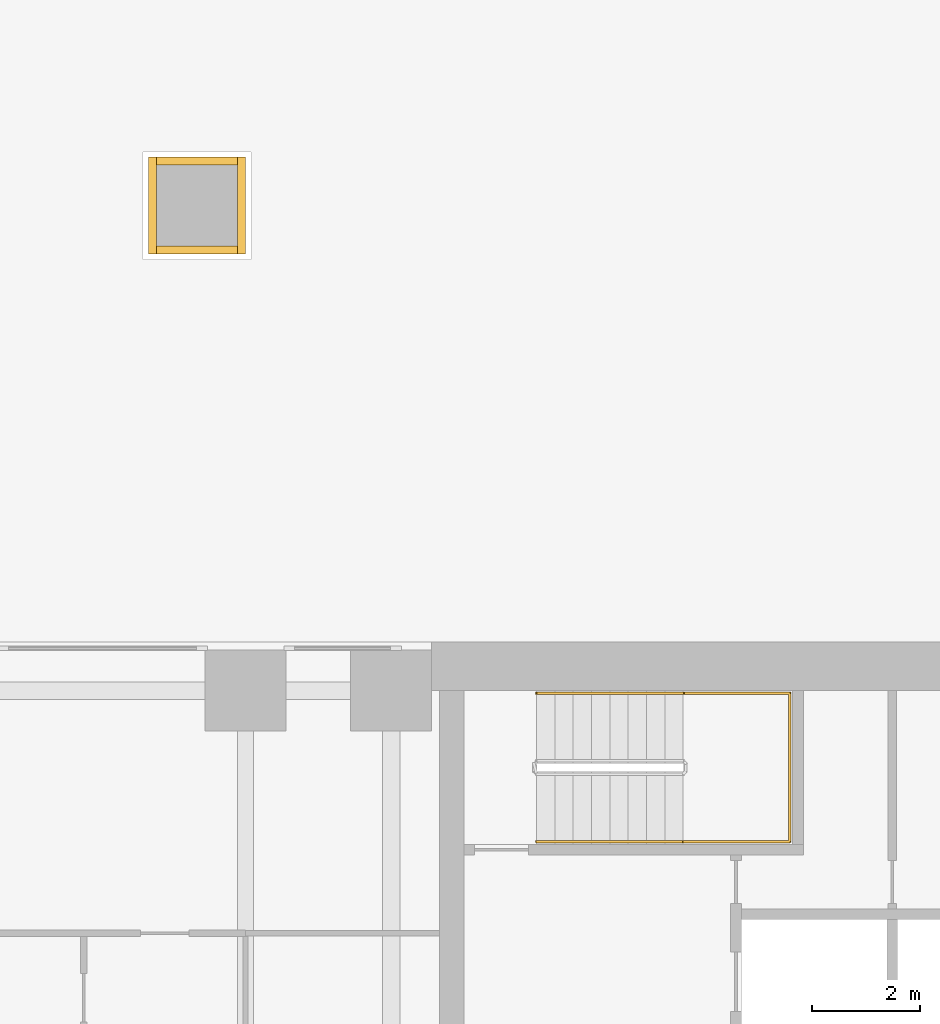
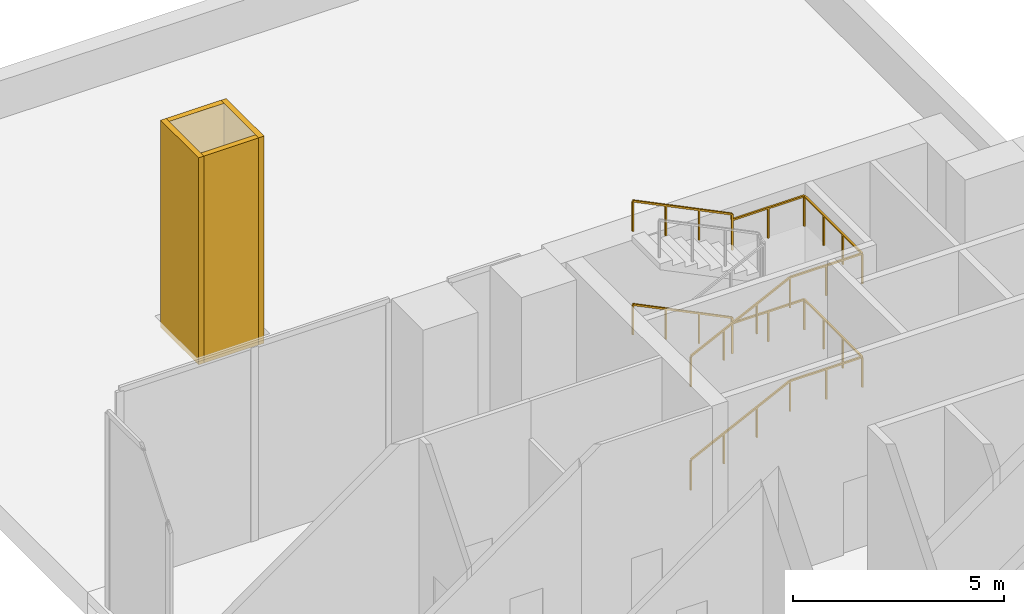
# One storey, part 13 of 13: 4 coverings, 2 railings.
"""IFC4 building model written with IfcOpenShell, lengths in metres."""

from ifc_helpers import new_model, si_unit, direction, frame, origin, origin_2d, place, context, subcontext, project, spatial, rectangle, extrude, material, layer, layer_set, type_object, element, save


model = new_model("IFC4")

# Units and contexts
model_context = context("Model", 3, precision=1e-05, world=origin(), true_north=direction((0.0, 1.0)))
body_context = subcontext(model_context, "Body", "Model", "MODEL_VIEW")
ifc_project = project(units=[si_unit("LENGTHUNIT", "METRE"), si_unit("AREAUNIT", "SQUARE_METRE"), si_unit("VOLUMEUNIT", "CUBIC_METRE"), si_unit("PLANEANGLEUNIT", "RADIAN"), si_unit("MASSUNIT", "GRAM", prefix="KILO")], contexts=[model_context])

# Site, building, storey
site_placement = place(None, origin())
site = spatial("IfcSite", under=ifc_project, at=site_placement, CompositionType="ELEMENT")
building_placement = place(site_placement, origin())
building = spatial("IfcBuilding", under=site, at=building_placement, Name="Perihelion Cross Residences", CompositionType="ELEMENT")
storey_placement = place(building_placement, frame((0.0, 0.0, 15.0)))
storey = spatial("IfcBuildingStorey", under=building, at=storey_placement, Name="L01", CompositionType="ELEMENT", Elevation=15.0)

# Coverings
ifc_material_1 = material(Name="Bronze anodised aluminium", Category="aluminium")
ifc_layer = layer(ifc_material_1, 0.14990234375)
ifc_layer_set = layer_set([ifc_layer], Name="Bronze clad corner pier 150")
covering_type = type_object("IfcCoveringType", Name="Bronze clad corner pier 150", PredefinedType="CLADDING", material=ifc_layer_set)
covering_1_placement = place(storey_placement, frame((17.925048828125, 17.10009765625, -0.300048828125), z_axis=(0.0, 0.0, 1.0), x_axis=(1.0, 0.0, 0.0)))
element("IfcCovering", 1, at=covering_1_placement, inside=storey, type_object=covering_type, Name="Cladding CP1 L01 casing east-west no. 4", PredefinedType="CLADDING", context=body_context, shape_type="SweptSolid", body=[
    extrude(rectangle(XDim=0.14990234375, YDim=1.800048828125, at=origin_2d()), origin(), (0.0, 0.0, 1.0), 6.0),
])
covering_2_placement = place(storey_placement, frame((17.10009765625, 17.925048828125, -0.300048828125), z_axis=(0.0, 0.0, 1.0), x_axis=(1.0, 0.0, 0.0)))
element("IfcCovering", 2, at=covering_2_placement, inside=storey, type_object=covering_type, Name="Cladding CP1 L01 casing north-south no. 4", PredefinedType="CLADDING", context=body_context, shape_type="SweptSolid", body=[
    extrude(rectangle(XDim=1.5, YDim=0.14990234375, at=origin_2d()), origin(), (0.0, 0.0, 1.0), 6.0),
])
covering_3_placement = place(storey_placement, frame((16.27490234375, 17.10009765625, -0.300048828125), z_axis=(0.0, 0.0, 1.0), x_axis=(1.0, 0.0, 0.0)))
element("IfcCovering", 3, at=covering_3_placement, inside=storey, type_object=covering_type, Name="Cladding CP1 L01 casing inner east-west no. 4", PredefinedType="CLADDING", context=body_context, shape_type="SweptSolid", body=[
    extrude(rectangle(XDim=0.14990234375, YDim=1.800048828125, at=origin_2d()), origin(), (0.0, 0.0, 1.0), 6.0),
])
covering_4_placement = place(storey_placement, frame((17.10009765625, 16.27490234375, -0.300048828125), z_axis=(0.0, 0.0, 1.0), x_axis=(1.0, 0.0, 0.0)))
element("IfcCovering", 4, at=covering_4_placement, inside=storey, type_object=covering_type, Name="Cladding CP1 L01 casing inner north-south no. 4", PredefinedType="CLADDING", context=body_context, shape_type="SweptSolid", body=[
    extrude(rectangle(XDim=1.5, YDim=0.14990234375, at=origin_2d()), origin(), (0.0, 0.0, 1.0), 6.0),
])

# Railings
ifc_material_2 = material(Name="Stainless steel", Category="steel")
railing_type = type_object("IfcRailingType", Name="Stair handrail 900", PredefinedType="HANDRAIL", material=ifc_material_2)
railing_1_placement = place(storey_placement, frame((23.39990234375, 5.300048828125, 0.166748046875)))
element("IfcRailing", 5, at=railing_1_placement, inside=storey, type_object=railing_type, Name="L01 ST-E1 stair handrail 1", PredefinedType="HANDRAIL", context=body_context, shape_type="SweptSolid", body=[
    extrude(rectangle(XDim=0.048095703125, YDim=0.048095703125, at=origin_2d()), frame((0.0, 0.0, 0.8759765625), z_axis=(0.897945078525, 0.0, 0.440107527717), x_axis=(0.0, 1.0, 0.0)), (0.0, 0.0, 1.0), 3.029296875),
    extrude(rectangle(XDim=0.048095703125, YDim=0.048095703125, at=origin_2d()), frame((2.72021484375, 0.0, 2.208984375), z_axis=(1.0, 0.0, 0.0), x_axis=(0.0, 1.0, 0.0)), (0.0, 0.0, 1.0), 1.97998046875),
    extrude(rectangle(XDim=0.048095703125, YDim=0.048095703125, at=origin_2d()), frame((4.7001953125, 0.0, 2.208984375), z_axis=(0.0, 1.0, 0.0), x_axis=(-1.0, 0.0, 0.0)), (0.0, 0.0, 1.0), 2.75),
    extrude(rectangle(XDim=0.048095703125, YDim=0.048095703125, at=origin_2d()), frame((4.7001953125, 2.75, 2.208984375), z_axis=(-1.0, 0.0, 0.0), x_axis=(0.0, -1.0, 0.0)), (0.0, 0.0, 1.0), 1.97998046875),
    extrude(rectangle(XDim=0.048095703125, YDim=0.048095703125, at=origin_2d()), frame((2.72021484375, 2.75, 2.208984375), z_axis=(0.0, 0.0, 1.0), x_axis=(1.0, 0.0, 0.0)), (0.0, 0.0, 1.0), 0.166748046875),
    extrude(rectangle(XDim=0.048095703125, YDim=0.048095703125, at=origin_2d()), frame((2.72021484375, 2.75, 2.3759765625), z_axis=(-0.897945078525, 0.0, 0.440107527717), x_axis=(0.0, -1.0, 0.0)), (0.0, 0.0, 1.0), 3.029296875),
    extrude(rectangle(XDim=0.0419921875, YDim=0.0419921875, at=origin_2d()), origin(), (0.0, 0.0, 1.0), 0.851806640625),
    extrude(rectangle(XDim=0.0419921875, YDim=0.0419921875, at=origin_2d()), frame((0.90673828125, 0.0, 0.4443359375)), (0.0, 0.0, 1.0), 0.851806640625),
    extrude(rectangle(XDim=0.0419921875, YDim=0.0419921875, at=origin_2d()), frame((1.8134765625, 0.0, 0.888916015625)), (0.0, 0.0, 1.0), 0.851806640625),
    extrude(rectangle(XDim=0.0419921875, YDim=0.0419921875, at=origin_2d()), frame((2.72021484375, 0.0, 1.333251953125)), (0.0, 0.0, 1.0), 0.851806640625),
    extrude(rectangle(XDim=0.0419921875, YDim=0.0419921875, at=origin_2d()), frame((3.710205078125, 0.0, 1.333251953125)), (0.0, 0.0, 1.0), 0.851806640625),
    extrude(rectangle(XDim=0.0419921875, YDim=0.0419921875, at=origin_2d()), frame((4.7001953125, 0.0, 1.333251953125)), (0.0, 0.0, 1.0), 0.851806640625),
    extrude(rectangle(XDim=0.0419921875, YDim=0.0419921875, at=origin_2d()), frame((4.7001953125, 0.916748046875, 1.333251953125)), (0.0, 0.0, 1.0), 0.851806640625),
    extrude(rectangle(XDim=0.0419921875, YDim=0.0419921875, at=origin_2d()), frame((4.7001953125, 1.833251953125, 1.333251953125)), (0.0, 0.0, 1.0), 0.851806640625),
    extrude(rectangle(XDim=0.0419921875, YDim=0.0419921875, at=origin_2d()), frame((4.7001953125, 2.75, 1.333251953125)), (0.0, 0.0, 1.0), 0.851806640625),
    extrude(rectangle(XDim=0.0419921875, YDim=0.0419921875, at=origin_2d()), frame((3.710205078125, 2.75, 1.333251953125)), (0.0, 0.0, 1.0), 0.851806640625),
    extrude(rectangle(XDim=0.0419921875, YDim=0.0419921875, at=origin_2d()), frame((2.72021484375, 2.75, 1.333251953125)), (0.0, 0.0, 1.0), 0.851806640625),
    extrude(rectangle(XDim=0.0419921875, YDim=0.0419921875, at=origin_2d()), frame((2.72021484375, 2.75, 1.5)), (0.0, 0.0, 1.0), 0.851806640625),
    extrude(rectangle(XDim=0.0419921875, YDim=0.0419921875, at=origin_2d()), frame((1.8134765625, 2.75, 1.9443359375)), (0.0, 0.0, 1.0), 0.851806640625),
    extrude(rectangle(XDim=0.0419921875, YDim=0.0419921875, at=origin_2d()), frame((0.90673828125, 2.75, 2.388916015625)), (0.0, 0.0, 1.0), 0.851806640625),
    extrude(rectangle(XDim=0.0419921875, YDim=0.0419921875, at=origin_2d()), frame((0.0, 2.75, 2.833251953125)), (0.0, 0.0, 1.0), 0.851806640625),
])
railing_2_placement = place(storey_placement, frame((23.39990234375, 5.300048828125, 3.166748046875)))
element("IfcRailing", 6, at=railing_2_placement, inside=storey, type_object=railing_type, Name="L01 ST-E1 stair handrail 2", PredefinedType="HANDRAIL", context=body_context, shape_type="SweptSolid", body=[
    extrude(rectangle(XDim=0.048095703125, YDim=0.048095703125, at=origin_2d()), frame((0.0, 0.0, 0.8759765625), z_axis=(0.897945078525, 0.0, 0.440107527717), x_axis=(0.0, 1.0, 0.0)), (0.0, 0.0, 1.0), 3.029296875),
    extrude(rectangle(XDim=0.048095703125, YDim=0.048095703125, at=origin_2d()), frame((2.72021484375, 0.0, 2.208984375), z_axis=(1.0, 0.0, 0.0), x_axis=(0.0, 1.0, 0.0)), (0.0, 0.0, 1.0), 1.97998046875),
    extrude(rectangle(XDim=0.048095703125, YDim=0.048095703125, at=origin_2d()), frame((4.7001953125, 0.0, 2.208984375), z_axis=(0.0, 1.0, 0.0), x_axis=(-1.0, 0.0, 0.0)), (0.0, 0.0, 1.0), 2.75),
    extrude(rectangle(XDim=0.048095703125, YDim=0.048095703125, at=origin_2d()), frame((4.7001953125, 2.75, 2.208984375), z_axis=(-1.0, 0.0, 0.0), x_axis=(0.0, -1.0, 0.0)), (0.0, 0.0, 1.0), 1.97998046875),
    extrude(rectangle(XDim=0.048095703125, YDim=0.048095703125, at=origin_2d()), frame((2.72021484375, 2.75, 2.208984375), z_axis=(0.0, 0.0, 1.0), x_axis=(1.0, 0.0, 0.0)), (0.0, 0.0, 1.0), 0.166748046875),
    extrude(rectangle(XDim=0.048095703125, YDim=0.048095703125, at=origin_2d()), frame((2.72021484375, 2.75, 2.3759765625), z_axis=(-0.897945078525, 0.0, 0.440107527717), x_axis=(0.0, -1.0, 0.0)), (0.0, 0.0, 1.0), 3.029296875),
    extrude(rectangle(XDim=0.0419921875, YDim=0.0419921875, at=origin_2d()), origin(), (0.0, 0.0, 1.0), 0.851806640625),
    extrude(rectangle(XDim=0.0419921875, YDim=0.0419921875, at=origin_2d()), frame((0.90673828125, 0.0, 0.4443359375)), (0.0, 0.0, 1.0), 0.851806640625),
    extrude(rectangle(XDim=0.0419921875, YDim=0.0419921875, at=origin_2d()), frame((1.8134765625, 0.0, 0.888916015625)), (0.0, 0.0, 1.0), 0.851806640625),
    extrude(rectangle(XDim=0.0419921875, YDim=0.0419921875, at=origin_2d()), frame((2.72021484375, 0.0, 1.333251953125)), (0.0, 0.0, 1.0), 0.851806640625),
    extrude(rectangle(XDim=0.0419921875, YDim=0.0419921875, at=origin_2d()), frame((3.710205078125, 0.0, 1.333251953125)), (0.0, 0.0, 1.0), 0.851806640625),
    extrude(rectangle(XDim=0.0419921875, YDim=0.0419921875, at=origin_2d()), frame((4.7001953125, 0.0, 1.333251953125)), (0.0, 0.0, 1.0), 0.851806640625),
    extrude(rectangle(XDim=0.0419921875, YDim=0.0419921875, at=origin_2d()), frame((4.7001953125, 0.916748046875, 1.333251953125)), (0.0, 0.0, 1.0), 0.851806640625),
    extrude(rectangle(XDim=0.0419921875, YDim=0.0419921875, at=origin_2d()), frame((4.7001953125, 1.833251953125, 1.333251953125)), (0.0, 0.0, 1.0), 0.851806640625),
    extrude(rectangle(XDim=0.0419921875, YDim=0.0419921875, at=origin_2d()), frame((4.7001953125, 2.75, 1.333251953125)), (0.0, 0.0, 1.0), 0.851806640625),
    extrude(rectangle(XDim=0.0419921875, YDim=0.0419921875, at=origin_2d()), frame((3.710205078125, 2.75, 1.333251953125)), (0.0, 0.0, 1.0), 0.851806640625),
    extrude(rectangle(XDim=0.0419921875, YDim=0.0419921875, at=origin_2d()), frame((2.72021484375, 2.75, 1.333251953125)), (0.0, 0.0, 1.0), 0.851806640625),
    extrude(rectangle(XDim=0.0419921875, YDim=0.0419921875, at=origin_2d()), frame((2.72021484375, 2.75, 1.5)), (0.0, 0.0, 1.0), 0.851806640625),
    extrude(rectangle(XDim=0.0419921875, YDim=0.0419921875, at=origin_2d()), frame((1.8134765625, 2.75, 1.9443359375)), (0.0, 0.0, 1.0), 0.851806640625),
    extrude(rectangle(XDim=0.0419921875, YDim=0.0419921875, at=origin_2d()), frame((0.90673828125, 2.75, 2.388916015625)), (0.0, 0.0, 1.0), 0.851806640625),
    extrude(rectangle(XDim=0.0419921875, YDim=0.0419921875, at=origin_2d()), frame((0.0, 2.75, 2.833251953125)), (0.0, 0.0, 1.0), 0.851806640625),
])

save(model, "model.ifc")
